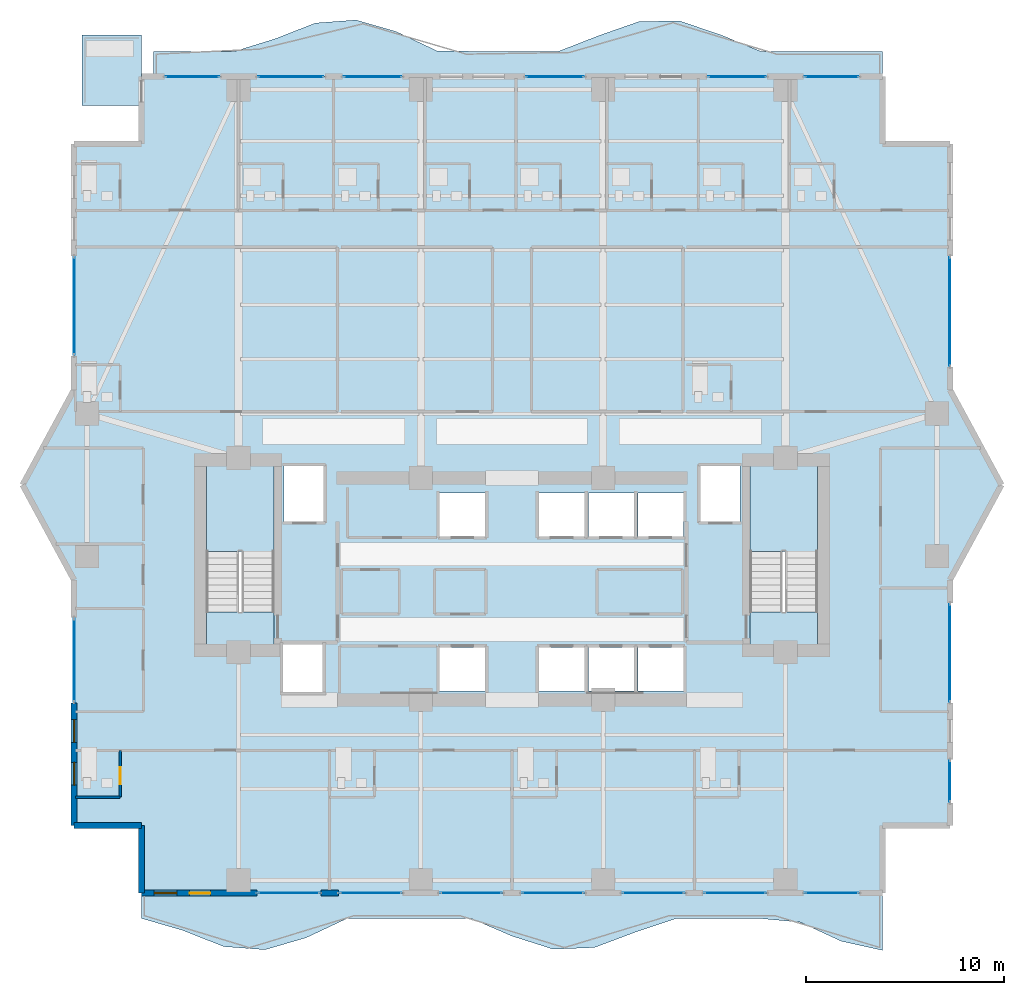
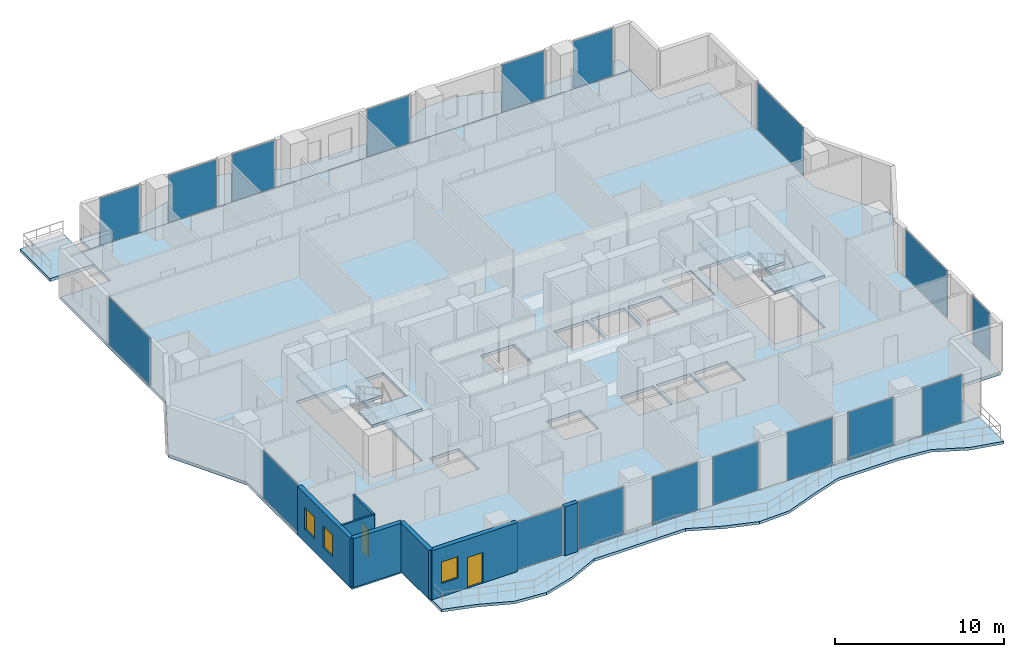
# One storey, part 23 of 32: 18 plates, 8 slabs, 7 walls, 3 windows, 2 doors, 5 openings, 20 elements without a shape of their own.
"""IFC4 building model written with IfcOpenShell, lengths in metres."""

import ifcopenshell
import ifcopenshell.guid

model = None  # the IFC model being written
_history = None  # IfcOwnerHistory: only IFC2X3 demands one
_inside = {}  # id of a spatial element -> (the spatial element, [elements in it])
_under = {}  # id of a project, library or spatial element -> (it, [spatial elements below it])
_declared = {}  # id of a project -> (the project, [libraries it declares])
_typed = {}  # id of a type object -> (the type object, [elements of that type])
_made_of = {}  # id of a material, layer set ... -> (it, [elements and type objects made of it])


def new_model(schema):
    """Start an empty IFC model of exactly this schema.

    Asked for "IFC4X3", IfcOpenShell would pick the latest addendum, in which some entities
    have other attributes; the version numbers below select the first issue.
    IFC2X3 requires an IfcOwnerHistory on every rooted entity: one is made here for all.
    """
    global model, _history
    if schema == "IFC4X3":
        model = ifcopenshell.file(schema_version=(4, 3, 0, 0))
    else:
        model = ifcopenshell.file(schema=schema)
    _inside.clear()
    _under.clear()
    _declared.clear()
    _typed.clear()
    _made_of.clear()
    _history = None
    if model.schema == "IFC2X3":
        org = make("IfcOrganization", Name="unknown")
        user = make(
            "IfcPersonAndOrganization",
            ThePerson=make("IfcPerson", FamilyName="unknown"),
            TheOrganization=org,
        )
        app = make(
            "IfcApplication",
            ApplicationDeveloper=org,
            Version="unknown",
            ApplicationFullName="unknown",
            ApplicationIdentifier="unknown",
        )
        _history = make(
            "IfcOwnerHistory",
            OwningUser=user,
            OwningApplication=app,
            ChangeAction="ADDED",
            CreationDate=0,
        )
    return model


def make(cls, **values):
    """One entity of the class cls with the attributes given. An attribute that is None is left unset."""
    return model.create_entity(
        cls, **{name: value for name, value in values.items() if value is not None}
    )


def rooted(cls, **values):
    """An entity with a GlobalId (a new one), such as an element, a storey or a relation."""
    return make(cls, GlobalId=ifcopenshell.guid.new(), OwnerHistory=_history, **values)


def si_unit(unit_type, name, prefix=None):
    """IfcSIUnit, for example si_unit("LENGTHUNIT", "METRE", prefix="MILLI")."""
    return make("IfcSIUnit", UnitType=unit_type, Prefix=prefix, Name=name)


def assignment(units):
    """IfcUnitAssignment: the units of a project."""
    return None if units is None else make("IfcUnitAssignment", Units=units)


def point(xyz):
    """IfcCartesianPoint."""
    return None if xyz is None else make("IfcCartesianPoint", Coordinates=xyz)


def direction(xyz):
    """IfcDirection."""
    return None if xyz is None else make("IfcDirection", DirectionRatios=xyz)


def frame(location, z_axis=None, x_axis=None):
    """IfcAxis2Placement3D, a coordinate frame: its origin and axes. An axis left out is left unset."""
    return make(
        "IfcAxis2Placement3D",
        Location=point(location),
        Axis=direction(z_axis),
        RefDirection=direction(x_axis),
    )


def frame_2d(location, x_axis=None):
    """IfcAxis2Placement2D, a coordinate frame in the plane: its origin and x axis."""
    return make(
        "IfcAxis2Placement2D", Location=point(location), RefDirection=direction(x_axis)
    )


def origin():
    """The frame at (0, 0, 0) with its axes left unset."""
    return frame((0.0, 0.0, 0.0))


def origin_2d():
    """The frame at (0, 0) in the plane with its x axis left unset."""
    return frame_2d((0.0, 0.0))


def place(relative_to, where):
    """IfcLocalPlacement: puts the frame where relative to a parent placement (None: the world)."""
    return make(
        "IfcLocalPlacement", PlacementRelTo=relative_to, RelativePlacement=where
    )


def context(
    kind, dimensions, precision=None, world=None, true_north=None, identifier=None
):
    """IfcGeometricRepresentationContext, for example the 3D "Model" context."""
    return make(
        "IfcGeometricRepresentationContext",
        ContextIdentifier=identifier,
        ContextType=kind,
        CoordinateSpaceDimension=dimensions,
        Precision=precision,
        WorldCoordinateSystem=world,
        TrueNorth=true_north,
    )


def subcontext(parent, identifier, kind, view, scale=None):
    """IfcGeometricRepresentationSubContext, for example "Body" below "Model"."""
    return make(
        "IfcGeometricRepresentationSubContext",
        ContextIdentifier=identifier,
        ContextType=kind,
        ParentContext=parent,
        TargetScale=scale,
        TargetView=view,
    )


def project(units=None, contexts=None):
    """IfcProject with its units and contexts."""
    return rooted(
        "IfcProject",
        Name="project",
        RepresentationContexts=contexts,
        UnitsInContext=assignment(units),
    )


def spatial(cls, under=None, at=None, **own):
    """A site, building, storey or space (cls), placed at a placement, below another one or the project."""
    s = rooted(cls, ObjectPlacement=at, **own)
    if under is not None:
        _under.setdefault(under.id(), (under, []))[1].append(s)
    return s


def polyline(points):
    """IfcPolyline through the points."""
    return make("IfcPolyline", Points=[point(p) for p in points])


def profile(cls, at=None, kind="AREA", **sizes):
    """A parametric profile (cls). Its sizes go by their IFC names, for example OverallWidth=200.0."""
    return make(cls, ProfileType=kind, Position=at, **sizes)


def rectangle(**sizes):
    """IfcRectangleProfileDef."""
    return profile("IfcRectangleProfileDef", **sizes)


def outline(outer, holes=None, kind="AREA"):
    """IfcArbitraryClosedProfileDef: a profile drawn as a closed curve; with holes, ...WithVoids."""
    if holes is None:
        return make("IfcArbitraryClosedProfileDef", ProfileType=kind, OuterCurve=outer)
    return make(
        "IfcArbitraryProfileDefWithVoids",
        ProfileType=kind,
        OuterCurve=outer,
        InnerCurves=holes,
    )


def extrude(swept, where, along, depth):
    """IfcExtrudedAreaSolid: the profile swept, set in the frame where, extruded along a direction by depth."""
    return make(
        "IfcExtrudedAreaSolid",
        SweptArea=swept,
        Position=where,
        ExtrudedDirection=direction(along),
        Depth=depth,
    )


def shape(context_of_items, identifier, shape_type, items):
    """IfcShapeRepresentation: the items that make up one representation, for example the "Body"."""
    return make(
        "IfcShapeRepresentation",
        ContextOfItems=context_of_items,
        RepresentationIdentifier=identifier,
        RepresentationType=shape_type,
        Items=items,
    )


def material(Name=None, Category=None):
    """IfcMaterial."""
    return make("IfcMaterial", Name=Name, Category=Category)


def layer(
    of_material, thickness, ventilated=None, Name=None, Category=None, Priority=None
):
    """IfcMaterialLayer: one layer of a wall or slab, of a material (None: an air gap)."""
    return make(
        "IfcMaterialLayer",
        Material=of_material,
        LayerThickness=thickness,
        IsVentilated=ventilated,
        Name=Name,
        Category=Category,
        Priority=Priority,
    )


def layer_set(layers, Name=None):
    """IfcMaterialLayerSet."""
    return make("IfcMaterialLayerSet", MaterialLayers=layers, LayerSetName=Name)


def made_of(thing, what):
    """Note that an element or type object is made of a material, layer set ...; save() writes the relation."""
    if what is not None:
        _made_of.setdefault(what.id(), (what, []))[1].append(thing)
    return thing


def type_object(cls, material=None, **own):
    """A type object (cls), such as IfcWallType, which elements share."""
    return made_of(rooted(cls, **own), material)


def element(
    cls,
    number,
    at=None,
    inside=None,
    cuts=None,
    type_object=None,
    material=None,
    context=None,
    identifier="Body",
    shape_type=None,
    held_by="IfcProductDefinitionShape",
    body=None,
    shapes=None,
    **own,
):
    """One element of the class cls, such as IfcWall. Its Tag is "e" and its number.

    at: its placement. inside: the storey or other place that contains it. cuts: it is an
    opening in that element (IfcRelVoidsElement). A single representation is given by context,
    identifier, shape_type and body (its items); several are given by shapes. held_by: the class
    of the entity that holds the representations. save() writes the other relations.
    """
    e = rooted(cls, Tag="e%d" % number, ObjectPlacement=at, **own)
    if body is not None:
        shapes = [shape(context, identifier, shape_type, body)]
    if shapes is not None:
        e.Representation = make(held_by, Representations=shapes)
    if inside is not None:
        _inside.setdefault(inside.id(), (inside, []))[1].append(e)
    if cuts is not None:
        rooted(
            "IfcRelVoidsElement", RelatingBuildingElement=cuts, RelatedOpeningElement=e
        )
    if type_object is not None:
        _typed.setdefault(type_object.id(), (type_object, []))[1].append(e)
    return made_of(e, material)


def fill(opening, filler):
    """IfcRelFillsElement: the door or window that sits in an opening."""
    return rooted(
        "IfcRelFillsElement",
        RelatingOpeningElement=opening,
        RelatedBuildingElement=filler,
    )


def aggregate(whole, parts):
    """IfcRelAggregates: a whole, such as a stair, and the parts it consists of."""
    return rooted("IfcRelAggregates", RelatingObject=whole, RelatedObjects=parts)


def save(model, path):
    """Write the relations noted so far, then the file.

    IfcRelAggregates (storeys below a building ...), IfcRelContainedInSpatialStructure (elements
    in a storey), IfcRelDefinesByType, IfcRelAssociatesMaterial and IfcRelDeclares: one each for
    every whole, place, type object, material and project.
    """
    for whole, parts in _under.values():
        aggregate(whole, parts)
    for where, things in _inside.values():
        rooted(
            "IfcRelContainedInSpatialStructure",
            RelatedElements=things,
            RelatingStructure=where,
        )
    for kind, things in _typed.values():
        rooted("IfcRelDefinesByType", RelatedObjects=things, RelatingType=kind)
    for what, things in _made_of.values():
        rooted("IfcRelAssociatesMaterial", RelatedObjects=things, RelatingMaterial=what)
    for by, libraries in _declared.values():
        rooted("IfcRelDeclares", RelatingContext=by, RelatedDefinitions=libraries)
    model.write(path)


model = new_model("IFC4")

# Units and contexts
model_context = context("Model", 3, precision=1e-05, world=origin(), true_north=direction((0.0, 1.0)))
body_context = subcontext(model_context, "Body", "Model", "MODEL_VIEW")
ifc_project = project(units=[si_unit("LENGTHUNIT", "METRE"), si_unit("AREAUNIT", "SQUARE_METRE"), si_unit("VOLUMEUNIT", "CUBIC_METRE"), si_unit("PLANEANGLEUNIT", "RADIAN"), si_unit("MASSUNIT", "GRAM", prefix="KILO")], contexts=[model_context])

# Site, building, storey
site_placement = place(None, origin())
site = spatial("IfcSite", under=ifc_project, at=site_placement, CompositionType="ELEMENT")
building_placement = place(site_placement, origin())
building = spatial("IfcBuilding", under=site, at=building_placement, Name="Zuhayl Quay Hotel", CompositionType="ELEMENT")
storey_placement = place(building_placement, frame((0.0, 0.0, 226.14990234375)))
storey = spatial("IfcBuildingStorey", under=building, at=storey_placement, Name="L57", CompositionType="ELEMENT", Elevation=226.14990234375)

# Curtain wall, plate
ifc_material_1 = material(Name="Anodised Aluminium 6063-T6", Category="aluminium")
ifc_layer_1 = layer(ifc_material_1, 0.175048828125, Name="Anodised Aluminium 6063-T6", Category="aluminium")
ifc_layer_set_1 = layer_set([ifc_layer_1], Name="Anodised Aluminium 6063-T6")
curtain_wall_type = type_object("IfcCurtainWallType", Name="CW_SYS_Z3", PredefinedType="USERDEFINED", material=ifc_layer_set_1)
curtain_wall_1_placement = place(storey_placement, origin())
curtain_wall_1 = element("IfcCurtainWall", 1, at=curtain_wall_1_placement, inside=storey, type_object=curtain_wall_type, Name="L57 Curtain Wall ENV_L57_E02_CW1", ObjectType="UNITISED CURTAIN WALL", PredefinedType="USERDEFINED")
ifc_material_2 = material(Name="Dark Ceramic-Fritted Solar Glass", Category="glass")
ifc_layer_2 = layer(ifc_material_2, 0.0400390625, Name="Dark Ceramic-Fritted Solar Glass", Category="glass")
ifc_layer_set_2 = layer_set([ifc_layer_2], Name="Dark Ceramic-Fritted Solar Glass")
plate_type = type_object("IfcPlateType", Name="PN_OP_VENT_Z3", PredefinedType="CURTAIN_PANEL", material=ifc_layer_set_2)
plate_1_placement = place(storey_placement, frame((-22.10009765625, 4.14990234375, 0.05517578125), z_axis=(0.0, 0.0, 1.0), x_axis=(0.0, 1.0, 0.0)))
plate_1 = element("IfcPlate", 2, at=plate_1_placement, type_object=plate_type, Name="CW-Z3 panel 1.1", PredefinedType="CURTAIN_PANEL", context=body_context, shape_type="SweptSolid", body=[
    extrude(rectangle(XDim=4.169921875, YDim=0.0400390625, at=origin_2d()), origin(), (0.0, 0.0, 1.0), 3.419921875),
])
aggregate(curtain_wall_1, [plate_1])

curtain_wall_2_placement = place(storey_placement, origin())
curtain_wall_2 = element("IfcCurtainWall", 3, at=curtain_wall_2_placement, inside=storey, type_object=curtain_wall_type, Name="L57 Curtain Wall ENV_L57_E05_CW1", ObjectType="UNITISED CURTAIN WALL", PredefinedType="USERDEFINED")
plate_2_placement = place(storey_placement, frame((-22.10009765625, 22.030029296875, 0.05517578125), z_axis=(0.0, 0.0, 1.0), x_axis=(0.0, 1.0, 0.0)))
plate_2 = element("IfcPlate", 4, at=plate_2_placement, type_object=plate_type, Name="CW-Z3 panel 1.1", PredefinedType="CURTAIN_PANEL", context=body_context, shape_type="SweptSolid", body=[
    extrude(rectangle(XDim=4.909912109375, YDim=0.0400390625, at=origin_2d()), origin(), (0.0, 0.0, 1.0), 3.419921875),
])
aggregate(curtain_wall_2, [plate_2])

curtain_wall_3_placement = place(storey_placement, origin())
curtain_wall_3 = element("IfcCurtainWall", 5, at=curtain_wall_3_placement, inside=storey, type_object=curtain_wall_type, Name="L57 Curtain Wall ENV_L57_N_CW1", ObjectType="UNITISED CURTAIN WALL", PredefinedType="USERDEFINED")
plate_3_placement = place(storey_placement, frame((-16.135009765625, 33.60009765625, 0.05517578125), z_axis=(0.0, 0.0, 1.0), x_axis=(1.0, 0.0, 0.0)))
plate_3 = element("IfcPlate", 6, at=plate_3_placement, type_object=plate_type, Name="CW-Z3 panel 1.1", PredefinedType="CURTAIN_PANEL", context=body_context, shape_type="SweptSolid", body=[
    extrude(rectangle(XDim=2.699951171875, YDim=0.0400390625, at=origin_2d()), origin(), (0.0, 0.0, 1.0), 3.419921875),
])
aggregate(curtain_wall_3, [plate_3])

curtain_wall_4_placement = place(storey_placement, origin())
curtain_wall_4 = element("IfcCurtainWall", 7, at=curtain_wall_4_placement, inside=storey, type_object=curtain_wall_type, Name="L57 Curtain Wall ENV_L57_N_CW2", ObjectType="UNITISED CURTAIN WALL", PredefinedType="USERDEFINED")
plate_4_placement = place(storey_placement, frame((-11.1650390625, 33.60009765625, 0.05517578125), z_axis=(0.0, 0.0, 1.0), x_axis=(1.0, 0.0, 0.0)))
plate_4 = element("IfcPlate", 8, at=plate_4_placement, type_object=plate_type, Name="CW-Z3 panel 1.1", PredefinedType="CURTAIN_PANEL", context=body_context, shape_type="SweptSolid", body=[
    extrude(rectangle(XDim=3.300048828125, YDim=0.0400390625, at=origin_2d()), origin(), (0.0, 0.0, 1.0), 3.419921875),
])
aggregate(curtain_wall_4, [plate_4])

curtain_wall_5_placement = place(storey_placement, origin())
curtain_wall_5 = element("IfcCurtainWall", 9, at=curtain_wall_5_placement, inside=storey, type_object=curtain_wall_type, Name="L57 Curtain Wall ENV_L57_N_CW3", ObjectType="UNITISED CURTAIN WALL", PredefinedType="USERDEFINED")
plate_5_placement = place(storey_placement, frame((-7.034912109375, 33.60009765625, 0.05517578125), z_axis=(0.0, 0.0, 1.0), x_axis=(1.0, 0.0, 0.0)))
plate_5 = element("IfcPlate", 10, at=plate_5_placement, type_object=plate_type, Name="CW-Z3 panel 1.1", PredefinedType="CURTAIN_PANEL", context=body_context, shape_type="SweptSolid", body=[
    extrude(rectangle(XDim=2.89990234375, YDim=0.0400390625, at=origin_2d()), origin(), (0.0, 0.0, 1.0), 3.419921875),
])
aggregate(curtain_wall_5, [plate_5])

curtain_wall_6_placement = place(storey_placement, origin())
curtain_wall_6 = element("IfcCurtainWall", 11, at=curtain_wall_6_placement, inside=storey, type_object=curtain_wall_type, Name="L57 Curtain Wall ENV_L57_N_CW4", ObjectType="UNITISED CURTAIN WALL", PredefinedType="USERDEFINED")
plate_6_placement = place(storey_placement, frame((2.1650390625, 33.60009765625, 0.05517578125), z_axis=(0.0, 0.0, 1.0), x_axis=(1.0, 0.0, 0.0)))
plate_6 = element("IfcPlate", 12, at=plate_6_placement, type_object=plate_type, Name="CW-Z3 panel 1.1", PredefinedType="CURTAIN_PANEL", context=body_context, shape_type="SweptSolid", body=[
    extrude(rectangle(XDim=2.89990234375, YDim=0.0400390625, at=origin_2d()), origin(), (0.0, 0.0, 1.0), 3.419921875),
])
aggregate(curtain_wall_6, [plate_6])

curtain_wall_7_placement = place(storey_placement, origin())
curtain_wall_7 = element("IfcCurtainWall", 13, at=curtain_wall_7_placement, inside=storey, type_object=curtain_wall_type, Name="L57 Curtain Wall ENV_L57_N_CW5", ObjectType="UNITISED CURTAIN WALL", PredefinedType="USERDEFINED")
plate_7_placement = place(storey_placement, frame((11.364990234375, 33.60009765625, 0.05517578125), z_axis=(0.0, 0.0, 1.0), x_axis=(1.0, 0.0, 0.0)))
plate_7 = element("IfcPlate", 14, at=plate_7_placement, type_object=plate_type, Name="CW-Z3 panel 1.1", PredefinedType="CURTAIN_PANEL", context=body_context, shape_type="SweptSolid", body=[
    extrude(rectangle(XDim=2.89990234375, YDim=0.0400390625, at=origin_2d()), origin(), (0.0, 0.0, 1.0), 3.419921875),
])
aggregate(curtain_wall_7, [plate_7])

curtain_wall_8_placement = place(storey_placement, origin())
curtain_wall_8 = element("IfcCurtainWall", 15, at=curtain_wall_8_placement, inside=storey, type_object=curtain_wall_type, Name="L57 Curtain Wall ENV_L57_N_CW6", ObjectType="UNITISED CURTAIN WALL", PredefinedType="USERDEFINED")
plate_8_placement = place(storey_placement, frame((16.135009765625, 33.60009765625, 0.05517578125), z_axis=(0.0, 0.0, 1.0), x_axis=(1.0, 0.0, 0.0)))
plate_8 = element("IfcPlate", 16, at=plate_8_placement, type_object=plate_type, Name="CW-Z3 panel 1.1", PredefinedType="CURTAIN_PANEL", context=body_context, shape_type="SweptSolid", body=[
    extrude(rectangle(XDim=2.699951171875, YDim=0.0400390625, at=origin_2d()), origin(), (0.0, 0.0, 1.0), 3.419921875),
])
aggregate(curtain_wall_8, [plate_8])

curtain_wall_9_placement = place(storey_placement, origin())
curtain_wall_9 = element("IfcCurtainWall", 17, at=curtain_wall_9_placement, inside=storey, type_object=curtain_wall_type, Name="L57 Curtain Wall ENV_L57_E11_CW1", ObjectType="UNITISED CURTAIN WALL", PredefinedType="USERDEFINED")
plate_9_placement = place(storey_placement, frame((22.10009765625, 21.75, 0.05517578125), z_axis=(0.0, 0.0, 1.0), x_axis=(0.0, -1.0, 0.0)))
plate_9 = element("IfcPlate", 18, at=plate_9_placement, type_object=plate_type, Name="CW-Z3 panel 1.1", PredefinedType="CURTAIN_PANEL", context=body_context, shape_type="SweptSolid", body=[
    extrude(rectangle(XDim=5.469970703125, YDim=0.0400390625, at=origin_2d()), origin(), (0.0, 0.0, 1.0), 3.419921875),
])
aggregate(curtain_wall_9, [plate_9])

curtain_wall_10_placement = place(storey_placement, origin())
curtain_wall_10 = element("IfcCurtainWall", 19, at=curtain_wall_10_placement, inside=storey, type_object=curtain_wall_type, Name="L57 Curtain Wall ENV_L57_E14_CW1", ObjectType="UNITISED CURTAIN WALL", PredefinedType="USERDEFINED")
plate_10_placement = place(storey_placement, frame((22.10009765625, 4.52490234375, 0.05517578125), z_axis=(0.0, 0.0, 1.0), x_axis=(0.0, -1.0, 0.0)))
plate_10 = element("IfcPlate", 20, at=plate_10_placement, type_object=plate_type, Name="CW-Z3 panel 1.1", PredefinedType="CURTAIN_PANEL", context=body_context, shape_type="SweptSolid", body=[
    extrude(rectangle(XDim=4.919921875, YDim=0.0400390625, at=origin_2d()), origin(), (0.0, 0.0, 1.0), 3.419921875),
])
aggregate(curtain_wall_10, [plate_10])

curtain_wall_11_placement = place(storey_placement, origin())
curtain_wall_11 = element("IfcCurtainWall", 21, at=curtain_wall_11_placement, inside=storey, type_object=curtain_wall_type, Name="L57 Curtain Wall ENV_L57_E14_CW2", ObjectType="UNITISED CURTAIN WALL", PredefinedType="USERDEFINED")
plate_11_placement = place(storey_placement, frame((22.10009765625, -1.949951171875, 0.05517578125), z_axis=(0.0, 0.0, 1.0), x_axis=(0.0, -1.0, 0.0)))
plate_11 = element("IfcPlate", 22, at=plate_11_placement, type_object=plate_type, Name="CW-Z3 panel 1.1", PredefinedType="CURTAIN_PANEL", context=body_context, shape_type="SweptSolid", body=[
    extrude(rectangle(XDim=2.070068359375, YDim=0.0400390625, at=origin_2d()), origin(), (0.0, 0.0, 1.0), 3.419921875),
])
aggregate(curtain_wall_11, [plate_11])

curtain_wall_12_placement = place(storey_placement, origin())
curtain_wall_12 = element("IfcCurtainWall", 23, at=curtain_wall_12_placement, inside=storey, type_object=curtain_wall_type, Name="L57 Curtain Wall ENV_L57_S_CW1", ObjectType="UNITISED CURTAIN WALL", PredefinedType="USERDEFINED")
plate_12_placement = place(storey_placement, frame((16.135009765625, -7.60009765625, 0.05517578125), z_axis=(0.0, 0.0, 1.0), x_axis=(-1.0, 0.0, 0.0)))
plate_12 = element("IfcPlate", 24, at=plate_12_placement, type_object=plate_type, Name="CW-Z3 panel 1.1", PredefinedType="CURTAIN_PANEL", context=body_context, shape_type="SweptSolid", body=[
    extrude(rectangle(XDim=2.699951171875, YDim=0.0400390625, at=origin_2d()), origin(), (0.0, 0.0, 1.0), 3.419921875),
])
aggregate(curtain_wall_12, [plate_12])

curtain_wall_13_placement = place(storey_placement, origin())
curtain_wall_13 = element("IfcCurtainWall", 25, at=curtain_wall_13_placement, inside=storey, type_object=curtain_wall_type, Name="L57 Curtain Wall ENV_L57_S_CW2", ObjectType="UNITISED CURTAIN WALL", PredefinedType="USERDEFINED")
plate_13_placement = place(storey_placement, frame((11.264892578125, -7.60009765625, 0.05517578125), z_axis=(0.0, 0.0, 1.0), x_axis=(-1.0, 0.0, 0.0)))
plate_13 = element("IfcPlate", 26, at=plate_13_placement, type_object=plate_type, Name="CW-Z3 panel 1.1", PredefinedType="CURTAIN_PANEL", context=body_context, shape_type="SweptSolid", body=[
    extrude(rectangle(XDim=3.10009765625, YDim=0.0400390625, at=origin_2d()), origin(), (0.0, 0.0, 1.0), 3.419921875),
])
aggregate(curtain_wall_13, [plate_13])

curtain_wall_14_placement = place(storey_placement, origin())
curtain_wall_14 = element("IfcCurtainWall", 27, at=curtain_wall_14_placement, inside=storey, type_object=curtain_wall_type, Name="L57 Curtain Wall ENV_L57_S_CW3", ObjectType="UNITISED CURTAIN WALL", PredefinedType="USERDEFINED")
plate_14_placement = place(storey_placement, frame((7.135009765625, -7.60009765625, 0.05517578125), z_axis=(0.0, 0.0, 1.0), x_axis=(-1.0, 0.0, 0.0)))
plate_14 = element("IfcPlate", 28, at=plate_14_placement, type_object=plate_type, Name="CW-Z3 panel 1.1", PredefinedType="CURTAIN_PANEL", context=body_context, shape_type="SweptSolid", body=[
    extrude(rectangle(XDim=3.10009765625, YDim=0.0400390625, at=origin_2d()), origin(), (0.0, 0.0, 1.0), 3.419921875),
])
aggregate(curtain_wall_14, [plate_14])

curtain_wall_15_placement = place(storey_placement, origin())
curtain_wall_15 = element("IfcCurtainWall", 29, at=curtain_wall_15_placement, inside=storey, type_object=curtain_wall_type, Name="L57 Curtain Wall ENV_L57_S_CW4", ObjectType="UNITISED CURTAIN WALL", PredefinedType="USERDEFINED")
plate_15_placement = place(storey_placement, frame((2.06494140625, -7.60009765625, 0.05517578125), z_axis=(0.0, 0.0, 1.0), x_axis=(-1.0, 0.0, 0.0)))
plate_15 = element("IfcPlate", 30, at=plate_15_placement, type_object=plate_type, Name="CW-Z3 panel 1.1", PredefinedType="CURTAIN_PANEL", context=body_context, shape_type="SweptSolid", body=[
    extrude(rectangle(XDim=3.10009765625, YDim=0.0400390625, at=origin_2d()), origin(), (0.0, 0.0, 1.0), 3.419921875),
])
aggregate(curtain_wall_15, [plate_15])

curtain_wall_16_placement = place(storey_placement, origin())
curtain_wall_16 = element("IfcCurtainWall", 31, at=curtain_wall_16_placement, inside=storey, type_object=curtain_wall_type, Name="L57 Curtain Wall ENV_L57_S_CW5", ObjectType="UNITISED CURTAIN WALL", PredefinedType="USERDEFINED")
plate_16_placement = place(storey_placement, frame((-2.06494140625, -7.60009765625, 0.05517578125), z_axis=(0.0, 0.0, 1.0), x_axis=(-1.0, 0.0, 0.0)))
plate_16 = element("IfcPlate", 32, at=plate_16_placement, type_object=plate_type, Name="CW-Z3 panel 1.1", PredefinedType="CURTAIN_PANEL", context=body_context, shape_type="SweptSolid", body=[
    extrude(rectangle(XDim=3.10009765625, YDim=0.0400390625, at=origin_2d()), origin(), (0.0, 0.0, 1.0), 3.419921875),
])
aggregate(curtain_wall_16, [plate_16])

curtain_wall_17_placement = place(storey_placement, origin())
curtain_wall_17 = element("IfcCurtainWall", 33, at=curtain_wall_17_placement, inside=storey, type_object=curtain_wall_type, Name="L57 Curtain Wall ENV_L57_S_CW6", ObjectType="UNITISED CURTAIN WALL", PredefinedType="USERDEFINED")
plate_17_placement = place(storey_placement, frame((-7.135009765625, -7.60009765625, 0.05517578125), z_axis=(0.0, 0.0, 1.0), x_axis=(-1.0, 0.0, 0.0)))
plate_17 = element("IfcPlate", 34, at=plate_17_placement, type_object=plate_type, Name="CW-Z3 panel 1.1", PredefinedType="CURTAIN_PANEL", context=body_context, shape_type="SweptSolid", body=[
    extrude(rectangle(XDim=3.10009765625, YDim=0.0400390625, at=origin_2d()), origin(), (0.0, 0.0, 1.0), 3.419921875),
])
aggregate(curtain_wall_17, [plate_17])

curtain_wall_18_placement = place(storey_placement, origin())
curtain_wall_18 = element("IfcCurtainWall", 35, at=curtain_wall_18_placement, inside=storey, type_object=curtain_wall_type, Name="L57 Curtain Wall ENV_L57_S_CW7", ObjectType="UNITISED CURTAIN WALL", PredefinedType="USERDEFINED")
plate_18_placement = place(storey_placement, frame((-11.264892578125, -7.60009765625, 0.05517578125), z_axis=(0.0, 0.0, 1.0), x_axis=(-1.0, 0.0, 0.0)))
plate_18 = element("IfcPlate", 36, at=plate_18_placement, type_object=plate_type, Name="CW-Z3 panel 1.1", PredefinedType="CURTAIN_PANEL", context=body_context, shape_type="SweptSolid", body=[
    extrude(rectangle(XDim=3.10009765625, YDim=0.0400390625, at=origin_2d()), origin(), (0.0, 0.0, 1.0), 3.419921875),
])
aggregate(curtain_wall_18, [plate_18])

# Slabs
ifc_material_3 = material(Name="Concrete C45/55", Category="concrete")
ifc_layer_3 = layer(ifc_material_3, 0.195068359375, Name="Concrete C45/55", Category="concrete")
ifc_layer_set_3 = layer_set([ifc_layer_3], Name="Concrete C45/55")
slab_type_1 = type_object("IfcSlabType", Name="SL_BALCONY_195", PredefinedType="FLOOR", material=ifc_layer_set_3)
slab_1_placement = place(storey_placement, frame((0.0, 0.0, -0.19482421875)))
element("IfcSlab", 37, at=slab_1_placement, inside=storey, type_object=slab_type_1, Name="L57 Exterior Rippling Balcony Slab North", PredefinedType="FLOOR", context=body_context, shape_type="SweptSolid", body=[
    extrude(outline(polyline([(-18.10009765625, 33.60009765625), (18.699951171875, 33.60009765625), (18.699951171875, 34.8798828125), (16.655517578125, 34.8798828125), (14.611083984375, 34.8798828125), (12.566650390625, 34.8798828125), (10.522216796875, 35.71826171875), (8.477783203125, 36.408935546875), (6.433349609375, 36.391845703125), (4.388916015625, 35.677490234375), (2.344482421875, 34.8798828125), (0.300048828125, 34.8798828125), (-1.744384765625, 34.8798828125), (-3.788818359375, 34.905517578125), (-5.833251953125, 35.875), (-7.877685546875, 36.462890625), (-9.922119140625, 36.31005859375), (-11.966796875, 35.510009765625), (-14.010986328125, 34.8798828125), (-16.0556640625, 34.8798828125), (-18.10009765625, 34.8798828125), (-18.10009765625, 33.60009765625)])), origin(), (0.0, 0.0, 1.0), 0.19482421875),
])
slab_2_placement = place(storey_placement, frame((0.0, 0.0, -0.19482421875)))
element("IfcSlab", 38, at=slab_2_placement, inside=storey, type_object=slab_type_1, Name="L57 Exterior Rippling Balcony Slab South", PredefinedType="FLOOR", context=body_context, shape_type="SweptSolid", body=[
    extrude(outline(polyline([(-18.699951171875, -8.8798828125), (-16.622314453125, -9.483154296875), (-14.54443359375, -10.30419921875), (-12.466796875, -10.46142578125), (-10.388916015625, -9.85595703125), (-8.31103515625, -8.8798828125), (-6.2333984375, -8.8798828125), (-4.155517578125, -8.8798828125), (-2.077880859375, -8.8798828125), (0.0, -9.773193359375), (2.077880859375, -10.435302734375), (4.155517578125, -10.35107421875), (6.2333984375, -9.573486328125), (8.31103515625, -8.8798828125), (10.388916015625, -8.8798828125), (12.466796875, -8.8798828125), (14.54443359375, -9.075927734375), (16.622314453125, -10.032470703125), (18.699951171875, -10.49609375), (18.699951171875, -7.60009765625), (-18.699951171875, -7.60009765625), (-18.699951171875, -8.8798828125)])), origin(), (0.0, 0.0, 1.0), 0.19482421875),
])
ifc_layer_4 = layer(ifc_material_3, 0.219970703125, Name="Concrete C45/55", Category="concrete")
ifc_layer_set_4 = layer_set([ifc_layer_4], Name="Concrete C45/55")
slab_type_2 = type_object("IfcSlabType", Name="SL_FLOOR_220", PredefinedType="FLOOR", material=ifc_layer_set_4)
slab_3_placement = place(storey_placement, frame((0.0, 0.0, -0.219970703125)))
element("IfcSlab", 39, at=slab_3_placement, inside=storey, type_object=slab_type_2, Name="L57 Structural Floor Slab", PredefinedType="FLOOR", context=body_context, shape_type="SweptSolid", body=[
    extrude(outline(polyline([(-18.699951171875, -7.60009765625), (18.699951171875, -7.60009765625), (18.699951171875, -4.199951171875), (22.10009765625, -4.199951171875), (22.10009765625, 8.199951171875), (24.699951171875, 13.0), (22.10009765625, 17.800048828125), (22.10009765625, 30.199951171875), (18.699951171875, 30.199951171875), (18.699951171875, 33.60009765625), (-18.699951171875, 33.60009765625), (-18.699951171875, 30.199951171875), (-22.10009765625, 30.199951171875), (-22.10009765625, 17.800048828125), (-24.699951171875, 13.0), (-22.10009765625, 8.199951171875), (-22.10009765625, -4.199951171875), (-18.699951171875, -4.199951171875), (-18.699951171875, -7.60009765625)]), holes=[polyline([(-12.0, 4.949951171875), (-12.0, 13.949951171875), (-15.429931640625, 13.949951171875), (-15.429931640625, 4.949951171875), (-12.0, 4.949951171875)]), polyline([(15.429931640625, 4.949951171875), (15.429931640625, 13.949951171875), (12.0, 13.949951171875), (12.0, 4.949951171875), (15.429931640625, 4.949951171875)]), polyline([(-11.5, 11.14990234375), (-9.5, 11.14990234375), (-9.5, 13.949951171875), (-11.5, 13.949951171875), (-11.5, 11.14990234375)]), polyline([(9.5, 11.14990234375), (11.5, 11.14990234375), (11.5, 13.949951171875), (9.5, 13.949951171875), (9.5, 11.14990234375)]), polyline([(-3.64990234375, 2.60009765625), (-1.35009765625, 2.60009765625), (-1.35009765625, 4.800048828125), (-3.64990234375, 4.800048828125), (-3.64990234375, 2.60009765625)]), polyline([(1.35009765625, 2.60009765625), (3.64990234375, 2.60009765625), (3.64990234375, 4.800048828125), (1.35009765625, 4.800048828125), (1.35009765625, 2.60009765625)]), polyline([(-3.64990234375, 10.39990234375), (-1.35009765625, 10.39990234375), (-1.35009765625, 12.60009765625), (-3.64990234375, 12.60009765625), (-3.64990234375, 10.39990234375)]), polyline([(1.35009765625, 10.39990234375), (3.64990234375, 10.39990234375), (3.64990234375, 12.60009765625), (1.35009765625, 12.60009765625), (1.35009765625, 10.39990234375)]), polyline([(3.85009765625, 2.60009765625), (6.14990234375, 2.60009765625), (6.14990234375, 4.800048828125), (3.85009765625, 4.800048828125), (3.85009765625, 2.60009765625)]), polyline([(6.35009765625, 2.60009765625), (8.64990234375, 2.60009765625), (8.64990234375, 4.800048828125), (6.35009765625, 4.800048828125), (6.35009765625, 2.60009765625)]), polyline([(3.85009765625, 10.39990234375), (6.14990234375, 10.39990234375), (6.14990234375, 12.60009765625), (3.85009765625, 12.60009765625), (3.85009765625, 10.39990234375)]), polyline([(6.35009765625, 10.39990234375), (8.64990234375, 10.39990234375), (8.64990234375, 12.60009765625), (6.35009765625, 12.60009765625), (6.35009765625, 10.39990234375)]), polyline([(-11.550048828125, 2.550048828125), (-9.550048828125, 2.550048828125), (-9.550048828125, 4.949951171875), (-11.550048828125, 4.949951171875), (-11.550048828125, 2.550048828125)])]), origin(), (0.0, 0.0, 1.0), 0.219970703125),
])

# Stair, slabs
stair_type = type_object("IfcStairType", Name="ST_DOGLEG_TOWER", PredefinedType="HALF_TURN_STAIR", material=ifc_material_3)
stair_1_placement = place(storey_placement, origin())
stair_1 = element("IfcStair", 40, at=stair_1_placement, inside=storey, type_object=stair_type, Name="L57 Smokeproof Exit Stair ST1", PredefinedType="HALF_TURN_STAIR")
ifc_layer_5 = layer(ifc_material_3, 0.199951171875, Name="Concrete C45/55", Category="concrete")
ifc_layer_set_5 = layer_set([ifc_layer_5], Name="Concrete C45/55")
slab_type_3 = type_object("IfcSlabType", Name="SL_STAIR_LANDING_200", PredefinedType="LANDING", material=ifc_layer_set_5)
slab_4_placement = place(storey_placement, frame((0.0, 0.0, 1.675048828125)))
slab_4 = element("IfcSlab", 41, at=slab_4_placement, type_object=slab_type_3, Name="ST1 landing 1", PredefinedType="LANDING", context=body_context, shape_type="SweptSolid", body=[
    extrude(outline(polyline([(-12.0, 9.64990234375), (-12.0, 13.949951171875), (-15.429931640625, 13.949951171875), (-15.429931640625, 9.64990234375), (-12.0, 9.64990234375)])), origin(), (0.0, 0.0, 1.0), 0.199951171875),
])
slab_5_placement = place(storey_placement, frame((0.0, 0.0, 3.550048828125)))
slab_5 = element("IfcSlab", 42, at=slab_5_placement, type_object=slab_type_3, Name="ST1 landing 2", PredefinedType="LANDING", context=body_context, shape_type="SweptSolid", body=[
    extrude(outline(polyline([(-12.0, 4.949951171875), (-12.0, 6.590087890625), (-15.429931640625, 6.590087890625), (-15.429931640625, 4.949951171875), (-12.0, 4.949951171875)])), origin(), (0.0, 0.0, 1.0), 0.199951171875),
])
aggregate(stair_1, [slab_4, slab_5])

stair_2_placement = place(storey_placement, origin())
stair_2 = element("IfcStair", 43, at=stair_2_placement, inside=storey, type_object=stair_type, Name="L57 Smokeproof Exit Stair ST2", PredefinedType="HALF_TURN_STAIR")
slab_6_placement = place(storey_placement, frame((0.0, 0.0, 1.675048828125)))
slab_6 = element("IfcSlab", 44, at=slab_6_placement, type_object=slab_type_3, Name="ST2 landing 1", PredefinedType="LANDING", context=body_context, shape_type="SweptSolid", body=[
    extrude(outline(polyline([(15.429931640625, 9.64990234375), (15.429931640625, 13.949951171875), (12.0, 13.949951171875), (12.0, 9.64990234375), (15.429931640625, 9.64990234375)])), origin(), (0.0, 0.0, 1.0), 0.199951171875),
])
slab_7_placement = place(storey_placement, frame((0.0, 0.0, 3.550048828125)))
slab_7 = element("IfcSlab", 45, at=slab_7_placement, type_object=slab_type_3, Name="ST2 landing 2", PredefinedType="LANDING", context=body_context, shape_type="SweptSolid", body=[
    extrude(outline(polyline([(15.429931640625, 4.949951171875), (15.429931640625, 6.590087890625), (12.0, 6.590087890625), (12.0, 4.949951171875), (15.429931640625, 4.949951171875)])), origin(), (0.0, 0.0, 1.0), 0.199951171875),
])
aggregate(stair_2, [slab_6, slab_7])

# Slab
ifc_layer_6 = layer(ifc_material_3, 0.219970703125, Name="Concrete C45/55", Category="concrete")
ifc_layer_set_6 = layer_set([ifc_layer_6], Name="Concrete C45/55")
slab_type_4 = type_object("IfcSlabType", Name="SL_TERRACE_235", PredefinedType="FLOOR", material=ifc_layer_set_6)
slab_8_placement = place(storey_placement, frame((0.0, 0.0, -0.219970703125)))
element("IfcSlab", 46, at=slab_8_placement, inside=storey, type_object=slab_type_4, Name="L57 Exterior Sky-Terrace Slab L57_SPIRAL_NW", PredefinedType="FLOOR", context=body_context, shape_type="SweptSolid", body=[
    extrude(outline(polyline([(-21.699951171875, 32.14990234375), (-18.699951171875, 32.14990234375), (-18.699951171875, 35.699951171875), (-21.699951171875, 35.699951171875), (-21.699951171875, 32.14990234375)])), origin(), (0.0, 0.0, 1.0), 0.219970703125),
])

# Wall
ifc_material_4 = material(Name="Precast concrete C45/55", Category="concrete")
ifc_layer_7 = layer(ifc_material_4, 0.300048828125, Name="Precast concrete C45/55", Category="concrete")
ifc_layer_set_7 = layer_set([ifc_layer_7], Name="Precast concrete C45/55")
wall_type_1 = type_object("IfcWallType", Name="WL_EXT_300", PredefinedType="STANDARD", material=ifc_layer_set_7)
wall_1_placement = place(storey_placement, frame((-18.699951171875, -4.199951171875, 0.0), z_axis=(0.0, 0.0, 1.0), x_axis=(-1.0, 0.0, 0.0)))
element("IfcWall", 47, at=wall_1_placement, inside=storey, type_object=wall_type_1, Name="L57 Exterior Precast Wall ENV_L57_EW01", PredefinedType="STANDARD", context=body_context, shape_type="SweptSolid", body=[
    extrude(rectangle(XDim=3.400146484375, YDim=0.300048828125, at=frame_2d((1.7001953125, 0.0))), origin(), (0.0, 0.0, 1.0), 3.530029296875),
])

# Wall, openings, windows
wall_2_placement = place(storey_placement, frame((-22.10009765625, -4.199951171875, 0.0), z_axis=(0.0, 0.0, 1.0), x_axis=(0.0, 1.0, 0.0)))
wall_2 = element("IfcWall", 48, at=wall_2_placement, inside=storey, type_object=wall_type_1, Name="L57 Exterior Precast Wall ENV_L57_E02_EW1", PredefinedType="STANDARD", context=body_context, shape_type="SweptSolid", body=[
    extrude(rectangle(XDim=6.199951171875, YDim=0.300048828125, at=frame_2d((3.10009765625, 0.0))), origin(), (0.0, 0.0, 1.0), 3.530029296875),
])
opening_1_placement = place(wall_2_placement, frame((2.044921875, 0.0, 0.949951171875)))
opening_1 = element("IfcOpeningElement", 49, at=opening_1_placement, cuts=wall_2, Name="Opening W01N", PredefinedType="OPENING", context=body_context, shape_type="SweptSolid", body=[
    extrude(rectangle(XDim=1.14990234375, YDim=1.550048828125, at=frame_2d((0.574951171875, 0.77490234375))), frame((0.0, 0.159912109375, 0.0), z_axis=(0.0, -1.0, 0.0), x_axis=(1.0, 0.0, 0.0)), (0.0, 0.0, 1.0), 0.320068359375),
])
opening_2_placement = place(wall_2_placement, frame((4.199951171875, 0.0, 0.949951171875)))
opening_2 = element("IfcOpeningElement", 50, at=opening_2_placement, cuts=wall_2, Name="Opening W01N", PredefinedType="OPENING", context=body_context, shape_type="SweptSolid", body=[
    extrude(rectangle(XDim=1.14990234375, YDim=1.550048828125, at=frame_2d((0.574951171875, 0.77490234375))), frame((0.0, 0.159912109375, 0.0), z_axis=(0.0, -1.0, 0.0), x_axis=(1.0, 0.0, 0.0)), (0.0, 0.0, 1.0), 0.320068359375),
])
window_type = type_object("IfcWindowType", Name="WN_NOTCH_1350", PartitioningType="SINGLE_PANEL", PredefinedType="WINDOW", material=ifc_material_2)
window_1_placement = place(opening_1_placement, origin())
window_1 = element("IfcWindow", 51, at=window_1_placement, inside=storey, type_object=window_type, Name="L57 Operable Facade Window 1-1", OverallHeight=1.550048828125, OverallWidth=1.14990234375, PartitioningType="SINGLE_PANEL", PredefinedType="WINDOW", context=body_context, shape_type="SweptSolid", body=[
    extrude(rectangle(XDim=1.14990234375, YDim=1.550048828125, at=frame_2d((0.574951171875, 0.77490234375))), frame((0.0, 0.030029296875, 0.0), z_axis=(0.0, -1.0, 0.0), x_axis=(1.0, 0.0, 0.0)), (0.0, 0.0, 1.0), 0.06005859375),
])
fill(opening_1, window_1)
window_2_placement = place(opening_2_placement, origin())
window_2 = element("IfcWindow", 52, at=window_2_placement, inside=storey, type_object=window_type, Name="L57 Operable Facade Window 1-2", OverallHeight=1.550048828125, OverallWidth=1.14990234375, PartitioningType="SINGLE_PANEL", PredefinedType="WINDOW", context=body_context, shape_type="SweptSolid", body=[
    extrude(rectangle(XDim=1.14990234375, YDim=1.550048828125, at=frame_2d((0.574951171875, 0.77490234375))), frame((0.0, 0.030029296875, 0.0), z_axis=(0.0, -1.0, 0.0), x_axis=(1.0, 0.0, 0.0)), (0.0, 0.0, 1.0), 0.06005859375),
])
fill(opening_2, window_2)

# Wall
wall_3_placement = place(storey_placement, frame((-8.75, -7.60009765625, 0.0), z_axis=(0.0, 0.0, 1.0), x_axis=(-1.0, 0.0, 0.0)))
element("IfcWall", 53, at=wall_3_placement, inside=storey, type_object=wall_type_1, Name="L57 Exterior Precast Wall ENV_L57_S_EW7", PredefinedType="STANDARD", context=body_context, shape_type="SweptSolid", body=[
    extrude(rectangle(XDim=0.89990234375, YDim=0.300048828125, at=frame_2d((0.449951171875, 0.0))), origin(), (0.0, 0.0, 1.0), 3.530029296875),
])

# Wall, openings, door, window
wall_4_placement = place(storey_placement, frame((-12.8798828125, -7.60009765625, 0.0), z_axis=(0.0, 0.0, 1.0), x_axis=(-1.0, 0.0, 0.0)))
wall_4 = element("IfcWall", 54, at=wall_4_placement, inside=storey, type_object=wall_type_1, Name="L57 Exterior Precast Wall ENV_L57_S_EW8", PredefinedType="STANDARD", context=body_context, shape_type="SweptSolid", body=[
    extrude(rectangle(XDim=5.820068359375, YDim=0.300048828125, at=frame_2d((2.91015625, 0.0))), origin(), (0.0, 0.0, 1.0), 3.530029296875),
])
opening_3_placement = place(wall_4_placement, frame((2.340087890625, 0.0, 0.0)))
opening_3 = element("IfcOpeningElement", 55, at=opening_3_placement, cuts=wall_4, Name="Opening DG1", PredefinedType="OPENING", context=body_context, shape_type="SweptSolid", body=[
    extrude(rectangle(XDim=1.050048828125, YDim=2.199951171875, at=frame_2d((0.52490234375, 1.10009765625))), frame((0.0, 0.159912109375, 0.0), z_axis=(0.0, -1.0, 0.0), x_axis=(1.0, 0.0, 0.0)), (0.0, 0.0, 1.0), 0.320068359375),
])
opening_4_placement = place(wall_4_placement, frame((4.034912109375, 0.0, 0.949951171875)))
opening_4 = element("IfcOpeningElement", 56, at=opening_4_placement, cuts=wall_4, Name="Opening W01N", PredefinedType="OPENING", context=body_context, shape_type="SweptSolid", body=[
    extrude(rectangle(XDim=1.14990234375, YDim=1.550048828125, at=frame_2d((0.574951171875, 0.77490234375))), frame((0.0, 0.159912109375, 0.0), z_axis=(0.0, -1.0, 0.0), x_axis=(1.0, 0.0, 0.0)), (0.0, 0.0, 1.0), 0.320068359375),
])
ifc_material_5 = material(Name="Anodised Aluminium and Dark Solar Glass", Category="aluminium")
door_type_1 = type_object("IfcDoorType", Name="DR_EXT_TERR_1050", OperationType="NOTDEFINED", PredefinedType="DOOR", material=ifc_material_5)
door_1_placement = place(opening_3_placement, origin())
door_1 = element("IfcDoor", 57, at=door_1_placement, inside=storey, type_object=door_type_1, Name="L57 South Rippling Balcony Door", OperationType="SINGLE_SWING_RIGHT", OverallHeight=2.199951171875, OverallWidth=1.050048828125, PredefinedType="DOOR", context=body_context, shape_type="SweptSolid", body=[
    extrude(rectangle(XDim=1.050048828125, YDim=2.199951171875, at=frame_2d((0.52490234375, 1.10009765625))), frame((0.0, 0.02490234375, 0.0), z_axis=(0.0, -1.0, 0.0), x_axis=(1.0, 0.0, 0.0)), (0.0, 0.0, 1.0), 0.050048828125),
])
fill(opening_3, door_1)
window_3_placement = place(opening_4_placement, origin())
window_3 = element("IfcWindow", 58, at=window_3_placement, inside=storey, type_object=window_type, Name="L57 Operable Facade Window 8-1", OverallHeight=1.550048828125, OverallWidth=1.14990234375, PartitioningType="SINGLE_PANEL", PredefinedType="WINDOW", context=body_context, shape_type="SweptSolid", body=[
    extrude(rectangle(XDim=1.14990234375, YDim=1.550048828125, at=frame_2d((0.574951171875, 0.77490234375))), frame((0.0, 0.030029296875, 0.0), z_axis=(0.0, -1.0, 0.0), x_axis=(1.0, 0.0, 0.0)), (0.0, 0.0, 1.0), 0.06005859375),
])
fill(opening_4, window_3)

# Wall
wall_5_placement = place(storey_placement, frame((-18.699951171875, -7.60009765625, 0.0), z_axis=(0.0, 0.0, 1.0), x_axis=(0.0, 1.0, 0.0)))
element("IfcWall", 59, at=wall_5_placement, inside=storey, type_object=wall_type_1, Name="L57 Exterior Precast Wall ENV_L57_EW18", PredefinedType="STANDARD", context=body_context, shape_type="SweptSolid", body=[
    extrude(rectangle(XDim=3.400146484375, YDim=0.300048828125, at=frame_2d((1.7001953125, 0.0))), origin(), (0.0, 0.0, 1.0), 3.530029296875),
])

# Wall, opening, door
ifc_material_6 = material(Name="Moisture-Resistant Sanitarychase Gypsum")
ifc_layer_8 = layer(ifc_material_6, 0.135009765625, Name="Moisture-Resistant Sanitarychase Gypsum")
ifc_layer_set_8 = layer_set([ifc_layer_8], Name="Moisture-Resistant Sanitarychase Gypsum")
wall_type_2 = type_object("IfcWallType", Name="WL_PART_PLUMB_150", PredefinedType="PLUMBINGWALL", material=ifc_layer_set_8)
wall_6_placement = place(storey_placement, frame((-19.780029296875, -2.760009765625, 0.0), z_axis=(0.0, 0.0, 1.0), x_axis=(0.0, 1.0, 0.0)))
wall_6 = element("IfcWall", 60, at=wall_6_placement, inside=storey, type_object=wall_type_2, Name="L57 Partition IW_L57_SU01_BE", PredefinedType="PLUMBINGWALL", context=body_context, shape_type="SweptSolid", body=[
    extrude(rectangle(XDim=2.360107421875, YDim=0.135009765625, at=frame_2d((1.18017578125, 0.0))), origin(), (0.0, 0.0, 1.0), 3.530029296875),
])
opening_5_placement = place(wall_6_placement, frame((0.64990234375, 0.0, 0.0)))
opening_5 = element("IfcOpeningElement", 61, at=opening_5_placement, cuts=wall_6, Name="Opening D04", PredefinedType="OPENING", context=body_context, shape_type="SweptSolid", body=[
    extrude(rectangle(XDim=0.85009765625, YDim=2.10009765625, at=frame_2d((0.425048828125, 1.050048828125))), frame((0.0, 0.077392578125, 0.0), z_axis=(0.0, -1.0, 0.0), x_axis=(1.0, 0.0, 0.0)), (0.0, 0.0, 1.0), 0.155029296875),
])
ifc_material_7 = material(Name="Moisture-Resistant Walnut Veneer")
door_type_2 = type_object("IfcDoorType", Name="DR_BATH_850", OperationType="NOTDEFINED", PredefinedType="DOOR", material=ifc_material_7)
door_2_placement = place(opening_5_placement, origin())
door_2 = element("IfcDoor", 62, at=door_2_placement, inside=storey, type_object=door_type_2, Name="L57 City-View Junior Suite L57-01 En-Suite Door", OperationType="SINGLE_SWING_RIGHT", OverallHeight=2.10009765625, OverallWidth=0.85009765625, PredefinedType="DOOR", context=body_context, shape_type="SweptSolid", body=[
    extrude(rectangle(XDim=0.85009765625, YDim=2.10009765625, at=frame_2d((0.425048828125, 1.050048828125))), frame((0.0, 0.02490234375, 0.0), z_axis=(0.0, -1.0, 0.0), x_axis=(1.0, 0.0, 0.0)), (0.0, 0.0, 1.0), 0.050048828125),
])
fill(opening_5, door_2)

# Wall
wall_7_placement = place(storey_placement, frame((-22.0400390625, -2.760009765625, 0.0), z_axis=(0.0, 0.0, 1.0), x_axis=(1.0, 0.0, 0.0)))
element("IfcWall", 63, at=wall_7_placement, inside=storey, type_object=wall_type_2, Name="L57 Partition IW_L57_SU01_BS", PredefinedType="PLUMBINGWALL", context=body_context, shape_type="SweptSolid", body=[
    extrude(rectangle(XDim=2.260009765625, YDim=0.135009765625, at=frame_2d((1.1298828125, 0.0))), origin(), (0.0, 0.0, 1.0), 3.530029296875),
])

save(model, "model.ifc")
